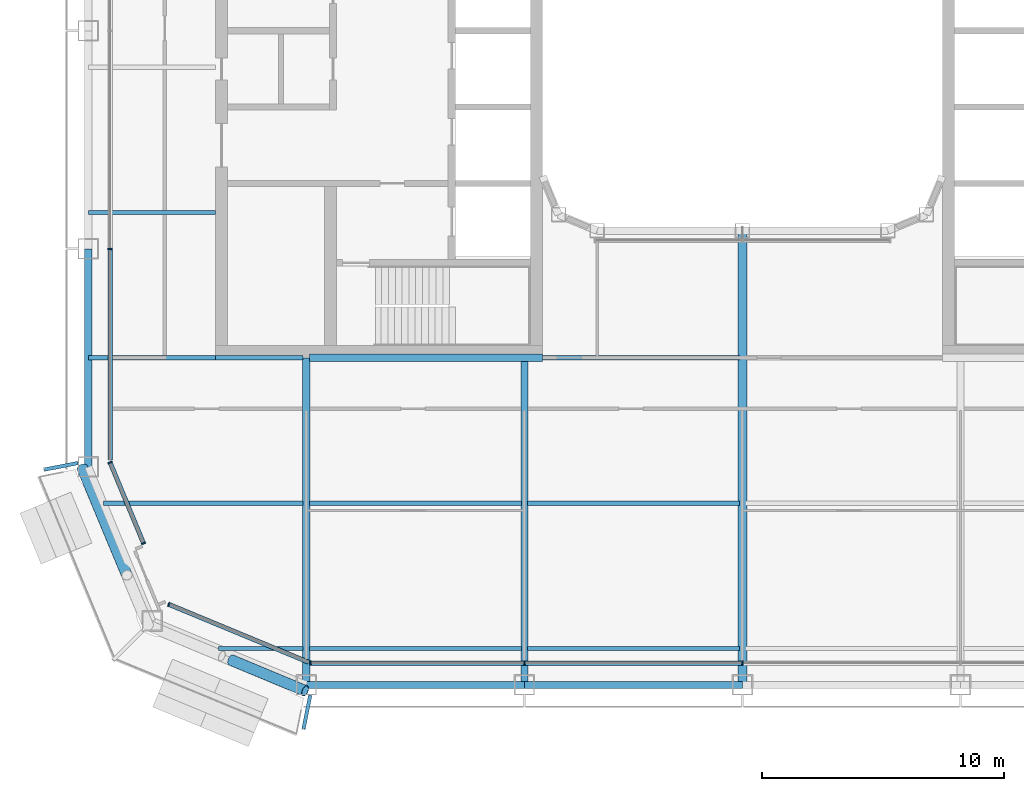
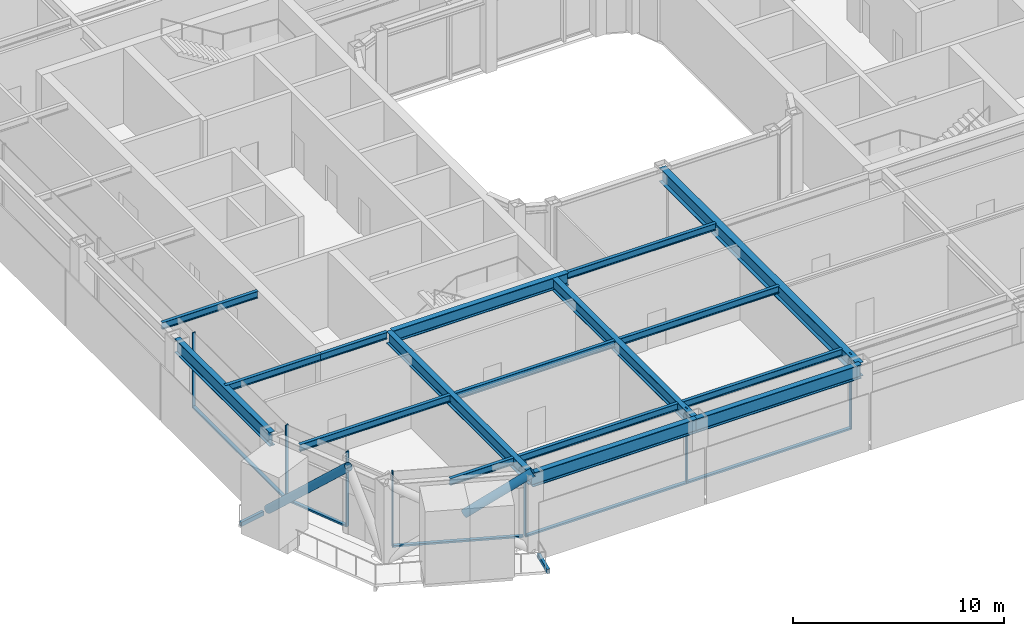
# One storey, part 2 of 23: 19 beams, 14 members, 4 elements without a shape of their own.
"""IFC4 building model written with IfcOpenShell, lengths in metres."""

from ifc_helpers import new_model, si_unit, direction, frame, origin, origin_2d, place, context, subcontext, project, spatial, rectangle, hollow_rectangle, hollow_circle, i_section, extrude, material, layer, layer_set, material_profile, profile_set, type_object, element, aggregate, save


model = new_model("IFC4")

# Units and contexts
model_context = context("Model", 3, precision=1e-05, world=origin(), true_north=direction((0.0, 1.0)))
body_context = subcontext(model_context, "Body", "Model", "MODEL_VIEW")
ifc_project = project(units=[si_unit("LENGTHUNIT", "METRE"), si_unit("AREAUNIT", "SQUARE_METRE"), si_unit("VOLUMEUNIT", "CUBIC_METRE"), si_unit("PLANEANGLEUNIT", "RADIAN"), si_unit("MASSUNIT", "GRAM", prefix="KILO")], contexts=[model_context])

# Site, building, storey
site_placement = place(None, origin())
site = spatial("IfcSite", under=ifc_project, at=site_placement, CompositionType="ELEMENT")
building_placement = place(site_placement, origin())
building = spatial("IfcBuilding", under=site, at=building_placement, Name="Siwar Civic Tower", CompositionType="ELEMENT")
storey_placement = place(building_placement, frame((0.0, 0.0, 197.199951171875)))
storey = spatial("IfcBuildingStorey", under=building, at=storey_placement, Name="L42", CompositionType="ELEMENT", Elevation=197.199951171875)

# Beams
ifc_material_1 = material(Name="Steel S355", Category="steel")
ifc_material_profile_1 = material_profile(ifc_material_1, hollow_rectangle(XDim=0.14990234375, YDim=0.25, WallThickness=0.010009765625, at=origin_2d()), Name="RHS250x150x10")
ifc_profile_set_1 = profile_set([ifc_material_profile_1], Name="Steel S355")
beam_type_1 = type_object("IfcBeamType", Name="ENV-BALCONY ARM", PredefinedType="BEAM", material=ifc_profile_set_1)
for number, where, z_axis, x_axis, name in (
    (1, (-27.425048828125, -17.83984375, -0.27490234375), (-0.980778884878, -0.195122471741, 0.0), (0.195122471741, -0.980778884878, 0.0), "Balcony cantilever beam SW 1"),
    (2, (-17.83984375, -27.425048828125, -0.27490234375), (-0.195122471741, -0.980778884878, 0.0), (0.980778884878, -0.195122471741, 0.0), "Balcony cantilever beam SW 3"),
):
    element("IfcBeam", number, at=place(storey_placement, frame(where, z_axis=z_axis, x_axis=x_axis)), inside=storey, type_object=beam_type_1, Name=name, PredefinedType="BEAM", context=body_context, shape_type="SweptSolid", body=[
        extrude(hollow_rectangle(XDim=0.14990234375, YDim=0.25, WallThickness=0.010009765625, at=origin_2d()), origin(), (0.0, 0.0, 1.0), 1.417724609375),
    ])

# Curtain wall, members
ifc_material_2 = material(Name="Aluminium and glass", Category="aluminium")
ifc_layer_1 = layer(ifc_material_2, 0.179931640625)
ifc_layer_set_1 = layer_set([ifc_layer_1], Name="Aluminium and glass")
curtain_wall_type_1 = type_object("IfcCurtainWallType", Name="ENV-CW-C", PredefinedType="NOTDEFINED", material=ifc_layer_set_1)
curtain_wall_1_placement = place(storey_placement, origin())
curtain_wall_1 = element("IfcCurtainWall", 3, at=curtain_wall_1_placement, inside=storey, type_object=curtain_wall_type_1, Name="Curtain wall C S", PredefinedType="NOTDEFINED")
ifc_material_3 = material(Name="Aluminium 6063-T6", Category="aluminium")
ifc_material_profile_2 = material_profile(ifc_material_3, rectangle(XDim=0.179931640625, YDim=0.06005859375, at=origin_2d()), Name="AL 180x60")
ifc_profile_set_2 = profile_set([ifc_material_profile_2], Name="Aluminium 6063-T6")
member_type_1 = type_object("IfcMemberType", Name="ENV-MULLION-C", PredefinedType="MULLION", material=ifc_profile_set_2)
member_1_placement = place(storey_placement, frame((-17.821044921875, -26.10009765625, 0.0), z_axis=(0.0, 0.0, 1.0), x_axis=(0.0, 1.0, 0.0)))
member_1 = element("IfcMember", 4, at=member_1_placement, type_object=member_type_1, Name="Mullion C S 1", PredefinedType="MULLION", context=body_context, shape_type="SweptSolid", body=[
    extrude(rectangle(XDim=0.179931640625, YDim=0.06005859375, at=origin_2d()), origin(), (0.0, 0.0, 1.0), 4.35009765625),
])
member_2_placement = place(storey_placement, frame((-9.0, -26.10009765625, 0.0), z_axis=(0.0, 0.0, 1.0), x_axis=(0.0, 1.0, 0.0)))
member_2 = element("IfcMember", 5, at=member_2_placement, type_object=member_type_1, Name="Mullion C S 2", PredefinedType="MULLION", context=body_context, shape_type="SweptSolid", body=[
    extrude(rectangle(XDim=0.179931640625, YDim=0.06005859375, at=origin_2d()), origin(), (0.0, 0.0, 1.0), 4.35009765625),
])
member_3_placement = place(storey_placement, frame((0.0, -26.10009765625, 0.0), z_axis=(0.0, 0.0, 1.0), x_axis=(0.0, 1.0, 0.0)))
member_3 = element("IfcMember", 6, at=member_3_placement, type_object=member_type_1, Name="Mullion C S 3", PredefinedType="MULLION", context=body_context, shape_type="SweptSolid", body=[
    extrude(rectangle(XDim=0.179931640625, YDim=0.06005859375, at=origin_2d()), origin(), (0.0, 0.0, 1.0), 4.35009765625),
])

# Curtain wall, member
curtain_wall_2_placement = place(storey_placement, origin())
curtain_wall_2 = element("IfcCurtainWall", 7, at=curtain_wall_2_placement, inside=storey, type_object=curtain_wall_type_1, Name="Curtain wall C W", PredefinedType="NOTDEFINED")
member_4_placement = place(storey_placement, frame((-26.10009765625, -9.0, 0.0), z_axis=(0.0, 0.0, 1.0), x_axis=(1.0, 0.0, 0.0)))
member_4 = element("IfcMember", 8, at=member_4_placement, type_object=member_type_1, Name="Mullion C W 4", PredefinedType="MULLION", context=body_context, shape_type="SweptSolid", body=[
    extrude(rectangle(XDim=0.179931640625, YDim=0.06005859375, at=origin_2d()), origin(), (0.0, 0.0, 1.0), 4.35009765625),
])

# Curtain wall, members
ifc_material_4 = material(Name="Aluminium clad insulated panel", Category="aluminium")
ifc_layer_2 = layer(ifc_material_4, 0.179931640625)
ifc_layer_set_2 = layer_set([ifc_layer_2], Name="Aluminium clad insulated panel")
curtain_wall_type_2 = type_object("IfcCurtainWallType", Name="ENV-CW-CX", PredefinedType="NOTDEFINED", material=ifc_layer_set_2)
curtain_wall_3_placement = place(storey_placement, origin())
curtain_wall_3 = element("IfcCurtainWall", 9, at=curtain_wall_3_placement, inside=storey, type_object=curtain_wall_type_2, Name="Curtain wall C SW1", PredefinedType="NOTDEFINED")
member_5_placement = place(storey_placement, frame((-26.10009765625, -17.821044921875, 0.0), z_axis=(0.0, 0.0, 1.0), x_axis=(0.923879532511, 0.382683432365, 0.0)))
member_5 = element("IfcMember", 10, at=member_5_placement, type_object=member_type_1, Name="Mullion C SW1 1", PredefinedType="MULLION", context=body_context, shape_type="SweptSolid", body=[
    extrude(rectangle(XDim=0.179931640625, YDim=0.06005859375, at=origin_2d()), origin(), (0.0, 0.0, 1.0), 4.35009765625),
])
member_6_placement = place(storey_placement, frame((-24.719482421875, -21.153564453125, 0.0), z_axis=(0.0, 0.0, 1.0), x_axis=(0.923879532511, 0.382683432365, 0.0)))
member_6 = element("IfcMember", 11, at=member_6_placement, type_object=member_type_1, Name="Mullion C SW1 2", PredefinedType="MULLION", context=body_context, shape_type="SweptSolid", body=[
    extrude(rectangle(XDim=0.179931640625, YDim=0.06005859375, at=origin_2d()), origin(), (0.0, 0.0, 1.0), 4.35009765625),
])

# Curtain wall, member
curtain_wall_4_placement = place(storey_placement, origin())
curtain_wall_4 = element("IfcCurtainWall", 12, at=curtain_wall_4_placement, inside=storey, type_object=curtain_wall_type_2, Name="Curtain wall C SW2", PredefinedType="NOTDEFINED")
member_7_placement = place(storey_placement, frame((-23.675048828125, -23.675048828125, 0.0), z_axis=(0.0, 0.0, 1.0), x_axis=(0.382683432365, 0.923879532511, 0.0)))
member_7 = element("IfcMember", 13, at=member_7_placement, type_object=member_type_1, Name="Mullion C SW2 1", PredefinedType="MULLION", context=body_context, shape_type="SweptSolid", body=[
    extrude(rectangle(XDim=0.179931640625, YDim=0.06005859375, at=origin_2d()), origin(), (0.0, 0.0, 1.0), 4.35009765625),
])

# Member
ifc_material_5 = material(Name="Aluminium 6063-T6", Category="aluminium")
ifc_material_profile_3 = material_profile(ifc_material_5, rectangle(XDim=0.179931640625, YDim=0.10009765625, at=origin_2d()), Name="AL 180x100")
ifc_profile_set_3 = profile_set([ifc_material_profile_3], Name="Aluminium 6063-T6")
member_type_2 = type_object("IfcMemberType", Name="ENV-TRANSOM-C", PredefinedType="USERDEFINED", material=ifc_profile_set_3)
member_8_placement = place(storey_placement, frame((-17.791015625, -26.10009765625, 0.050048828125), z_axis=(1.0, 0.0, 0.0), x_axis=(0.0, 1.0, 0.0)))
member_8 = element("IfcMember", 14, at=member_8_placement, type_object=member_type_2, Name="Transom C S 1", ObjectType="TRANSOM", PredefinedType="USERDEFINED", context=body_context, shape_type="SweptSolid", body=[
    extrude(rectangle(XDim=0.179931640625, YDim=0.10009765625, at=origin_2d()), origin(), (0.0, 0.0, 1.0), 8.760986328125),
])

member_9_placement = place(storey_placement, frame((-8.969970703125, -26.10009765625, 0.050048828125), z_axis=(1.0, 0.0, 0.0), x_axis=(0.0, 1.0, 0.0)))
member_9 = element("IfcMember", 15, at=member_9_placement, type_object=member_type_2, Name="Transom C S 2", ObjectType="TRANSOM", PredefinedType="USERDEFINED", context=body_context, shape_type="SweptSolid", body=[
    extrude(rectangle(XDim=0.179931640625, YDim=0.10009765625, at=origin_2d()), origin(), (0.0, 0.0, 1.0), 8.93994140625),
])

aggregate(curtain_wall_1, [member_1, member_2, member_3, member_8, member_9])

member_10_placement = place(storey_placement, frame((-26.10009765625, -9.030029296875, 0.050048828125), z_axis=(0.0, -1.0, 0.0), x_axis=(1.0, 0.0, 0.0)))
member_10 = element("IfcMember", 16, at=member_10_placement, type_object=member_type_2, Name="Transom C W 4", ObjectType="TRANSOM", PredefinedType="USERDEFINED", context=body_context, shape_type="SweptSolid", body=[
    extrude(rectangle(XDim=0.179931640625, YDim=0.10009765625, at=origin_2d()), origin(), (0.0, 0.0, 1.0), 8.68603515625),
])

aggregate(curtain_wall_2, [member_4, member_10])

member_11_placement = place(storey_placement, frame((-26.088623046875, -17.8486328125, 0.050048828125), z_axis=(0.3827185099, -0.92386500214, 0.0), x_axis=(0.92386500214, 0.3827185099, 0.0)))
member_11 = element("IfcMember", 17, at=member_11_placement, type_object=member_type_2, Name="Transom C SW1 1", ObjectType="TRANSOM", PredefinedType="USERDEFINED", context=body_context, shape_type="SweptSolid", body=[
    extrude(rectangle(XDim=0.179931640625, YDim=0.10009765625, at=origin_2d()), origin(), (0.0, 0.0, 1.0), 3.54736328125),
])

aggregate(curtain_wall_3, [member_5, member_6, member_11])

member_12_placement = place(storey_placement, frame((-23.6474609375, -23.6865234375, 0.050048828125), z_axis=(0.923876246063, -0.382691366456, 0.0), x_axis=(0.382691366456, 0.923876246063, 0.0)))
member_12 = element("IfcMember", 18, at=member_12_placement, type_object=member_type_2, Name="Transom C SW2 1", ObjectType="TRANSOM", PredefinedType="USERDEFINED", context=body_context, shape_type="SweptSolid", body=[
    extrude(rectangle(XDim=0.179931640625, YDim=0.10009765625, at=origin_2d()), origin(), (0.0, 0.0, 1.0), 6.20166015625),
])

aggregate(curtain_wall_4, [member_7, member_12])

# Members
ifc_material_6 = material(Name="Steel S355", Category="steel")
ifc_material_profile_4 = material_profile(ifc_material_6, hollow_circle(Radius=0.228515625, WallThickness=0.02001953125, at=origin_2d()), Name="CHS457x20")
ifc_profile_set_4 = profile_set([ifc_material_profile_4], Name="Steel S355")
member_type_3 = type_object("IfcMemberType", Name="STR-BR-CHS457x20", PredefinedType="BRACE", material=ifc_profile_set_4)
member_13_placement = place(storey_placement, frame((-21.10302734375, -25.972900390625, 2.383056640625), z_axis=(0.777572496853, -0.323895306243, 0.538955325357), x_axis=(0.38452107079, 0.92311621485, 0.0)))
element("IfcMember", 19, at=member_13_placement, inside=storey, type_object=member_type_3, Name="L42/brc/CSW1-2-0-3", PredefinedType="BRACE", context=body_context, shape_type="SweptSolid", body=[
    extrude(hollow_circle(Radius=0.228515625, WallThickness=0.02001953125, at=origin_2d()), origin(), (0.0, 0.0, 1.0), 3.927978515625),
])
member_14_placement = place(storey_placement, frame((-27.2451171875, -18.048828125, 0.0), z_axis=(0.280310719993, -0.672864582402, 0.684601456328), x_axis=(0.923101041979, 0.384557494138, 0.0)))
element("IfcMember", 20, at=member_14_placement, inside=storey, type_object=member_type_3, Name="L42/brc/CSW1-2-0-0", PredefinedType="BRACE", context=body_context, shape_type="SweptSolid", body=[
    extrude(hollow_circle(Radius=0.228515625, WallThickness=0.02001953125, at=origin_2d()), origin(), (0.0, 0.0, 1.0), 6.5732421875),
])

# Beams
ifc_material_7 = material(Name="Steel S355", Category="steel")
ifc_material_profile_5 = material_profile(ifc_material_7, i_section(OverallWidth=0.179931640625, OverallDepth=0.39990234375, WebThickness=0.008544921875, FlangeThickness=0.013427734375, FilletRadius=0.02099609375, at=origin_2d()), Name="IPE400")
ifc_profile_set_5 = profile_set([ifc_material_profile_5], Name="Steel S355")
beam_type_2 = type_object("IfcBeamType", Name="STR-FB-IPE400", PredefinedType="JOIST", material=ifc_profile_set_5)
beam_1_placement = place(storey_placement, frame((-21.621337890625, -25.5, 4.150146484375), z_axis=(1.0, 0.0, 0.0), x_axis=(0.0, 1.0, 0.0)))
element("IfcBeam", 21, at=beam_1_placement, inside=storey, type_object=beam_type_2, Name="L42/bm/F001", PredefinedType="JOIST", context=body_context, shape_type="SweptSolid", body=[
    extrude(i_section(OverallWidth=0.179931640625, OverallDepth=0.39990234375, WebThickness=0.008544921875, FlangeThickness=0.013427734375, FilletRadius=0.02099609375, at=origin_2d()), origin(), (0.0, 0.0, 1.0), 3.491455078125),
])
for number, where, z_axis, x_axis, name in (
    (22, (-17.8701171875, -25.5, 4.150146484375), (1.0, 0.0, 0.0), (0.0, 1.0, 0.0), "L42/bm/F002"),
    (23, (-8.8701171875, -25.5, 4.150146484375), (1.0, 0.0, 0.0), (0.0, 1.0, 0.0), "L42/bm/F003"),
):
    element("IfcBeam", number, at=place(storey_placement, frame(where, z_axis=z_axis, x_axis=x_axis)), inside=storey, type_object=beam_type_2, Name=name, PredefinedType="JOIST", context=body_context, shape_type="SweptSolid", body=[
        extrude(i_section(OverallWidth=0.179931640625, OverallDepth=0.39990234375, WebThickness=0.008544921875, FlangeThickness=0.013427734375, FilletRadius=0.02099609375, at=origin_2d()), origin(), (0.0, 0.0, 1.0), 8.740234375),
    ])
beam_2_placement = place(storey_placement, frame((-26.378662109375, -19.5, 4.150146484375), z_axis=(1.0, 0.0, 0.0), x_axis=(0.0, 1.0, 0.0)))
element("IfcBeam", 24, at=beam_2_placement, inside=storey, type_object=beam_type_2, Name="L42/bm/F007", PredefinedType="JOIST", context=body_context, shape_type="SweptSolid", body=[
    extrude(i_section(OverallWidth=0.179931640625, OverallDepth=0.39990234375, WebThickness=0.008544921875, FlangeThickness=0.013427734375, FilletRadius=0.02099609375, at=origin_2d()), origin(), (0.0, 0.0, 1.0), 8.248779296875),
])
for number, where, z_axis, x_axis, name in (
    (25, (-17.8701171875, -19.5, 4.150146484375), (1.0, 0.0, 0.0), (0.0, 1.0, 0.0), "L42/bm/F008"),
    (26, (-8.8701171875, -19.5, 4.150146484375), (1.0, 0.0, 0.0), (0.0, 1.0, 0.0), "L42/bm/F009"),
):
    element("IfcBeam", number, at=place(storey_placement, frame(where, z_axis=z_axis, x_axis=x_axis)), inside=storey, type_object=beam_type_2, Name=name, PredefinedType="JOIST", context=body_context, shape_type="SweptSolid", body=[
        extrude(i_section(OverallWidth=0.179931640625, OverallDepth=0.39990234375, WebThickness=0.008544921875, FlangeThickness=0.013427734375, FilletRadius=0.02099609375, at=origin_2d()), origin(), (0.0, 0.0, 1.0), 8.740234375),
    ])
beam_3_placement = place(storey_placement, frame((-27.0, -13.5, 4.150146484375), z_axis=(1.0, 0.0, 0.0), x_axis=(0.0, 1.0, 0.0)))
element("IfcBeam", 27, at=beam_3_placement, inside=storey, type_object=beam_type_2, Name="L42/bm/F013", PredefinedType="JOIST", context=body_context, shape_type="SweptSolid", body=[
    extrude(i_section(OverallWidth=0.179931640625, OverallDepth=0.39990234375, WebThickness=0.008544921875, FlangeThickness=0.013427734375, FilletRadius=0.02099609375, at=origin_2d()), origin(), (0.0, 0.0, 1.0), 5.25),
])
beam_4_placement = place(storey_placement, frame((-21.75, -13.5, 4.150146484375), z_axis=(1.0, 0.0, 0.0), x_axis=(0.0, 1.0, 0.0)))
element("IfcBeam", 28, at=beam_4_placement, inside=storey, type_object=beam_type_2, Name="L42/bm/F014", PredefinedType="JOIST", context=body_context, shape_type="SweptSolid", body=[
    extrude(i_section(OverallWidth=0.179931640625, OverallDepth=0.39990234375, WebThickness=0.008544921875, FlangeThickness=0.013427734375, FilletRadius=0.02099609375, at=origin_2d()), origin(), (0.0, 0.0, 1.0), 3.6201171875),
])
beam_5_placement = place(storey_placement, frame((-8.25, -13.5, 4.150146484375), z_axis=(1.0, 0.0, 0.0), x_axis=(0.0, 1.0, 0.0)))
element("IfcBeam", 29, at=beam_5_placement, inside=storey, type_object=beam_type_2, Name="L42/bm/F016", PredefinedType="JOIST", context=body_context, shape_type="SweptSolid", body=[
    extrude(i_section(OverallWidth=0.179931640625, OverallDepth=0.39990234375, WebThickness=0.008544921875, FlangeThickness=0.013427734375, FilletRadius=0.02099609375, at=origin_2d()), origin(), (0.0, 0.0, 1.0), 8.1201171875),
])
beam_6_placement = place(storey_placement, frame((-27.0, -7.5, 4.150146484375), z_axis=(1.0, 0.0, 0.0), x_axis=(0.0, 1.0, 0.0)))
element("IfcBeam", 30, at=beam_6_placement, inside=storey, type_object=beam_type_2, Name="L42/bm/F021", PredefinedType="JOIST", context=body_context, shape_type="SweptSolid", body=[
    extrude(i_section(OverallWidth=0.179931640625, OverallDepth=0.39990234375, WebThickness=0.008544921875, FlangeThickness=0.013427734375, FilletRadius=0.02099609375, at=origin_2d()), origin(), (0.0, 0.0, 1.0), 5.25),
])
ifc_material_8 = material(Name="Steel S355", Category="steel")
ifc_material_profile_6 = material_profile(ifc_material_8, i_section(OverallWidth=0.300048828125, OverallDepth=0.699951171875, WebThickness=0.01708984375, FlangeThickness=0.031982421875, FilletRadius=0.027099609375, at=origin_2d()), Name="HEB700")
ifc_profile_set_6 = profile_set([ifc_material_profile_6], Name="Steel S355")
beam_type_3 = type_object("IfcBeamType", Name="STR-PG-HEB700", PredefinedType="BEAM", material=ifc_profile_set_6)
for number, where, z_axis, x_axis, name in (
    (31, (-18.0, -27.0, 4.0), (0.0, 1.0, 0.0), (-1.0, 0.0, 0.0), "L42/bm/G01"),
    (32, (-9.0, -27.0, 4.0), (0.0, 1.0, 0.0), (-1.0, 0.0, 0.0), "L42/bm/G03"),
):
    element("IfcBeam", number, at=place(storey_placement, frame(where, z_axis=z_axis, x_axis=x_axis)), inside=storey, type_object=beam_type_3, Name=name, PredefinedType="BEAM", context=body_context, shape_type="SweptSolid", body=[
        extrude(i_section(OverallWidth=0.300048828125, OverallDepth=0.699951171875, WebThickness=0.01708984375, FlangeThickness=0.031982421875, FilletRadius=0.027099609375, at=origin_2d()), origin(), (0.0, 0.0, 1.0), 13.5),
    ])
beam_7_placement = place(storey_placement, frame((-17.8701171875, -13.5, 4.0), z_axis=(1.0, 0.0, 0.0), x_axis=(0.0, 1.0, 0.0)))
element("IfcBeam", 33, at=beam_7_placement, inside=storey, type_object=beam_type_3, Name="L42/bm/F015", PredefinedType="BEAM", context=body_context, shape_type="SweptSolid", body=[
    extrude(i_section(OverallWidth=0.300048828125, OverallDepth=0.699951171875, WebThickness=0.01708984375, FlangeThickness=0.031982421875, FilletRadius=0.027099609375, at=origin_2d()), origin(), (0.0, 0.0, 1.0), 9.6201171875),
])
ifc_material_9 = material(Name="Steel S355", Category="steel")
ifc_material_profile_7 = material_profile(ifc_material_9, i_section(OverallWidth=0.360107421875, OverallDepth=0.800048828125, WebThickness=0.013916015625, FlangeThickness=0.031982421875, at=origin_2d()), Name="PG800x360x14x32")
ifc_profile_set_7 = profile_set([ifc_material_profile_7], Name="Steel S355")
beam_type_4 = type_object("IfcBeamType", Name="STR-PG-PG800x360x14x32", PredefinedType="BEAM", material=ifc_profile_set_7)
beam_8_placement = place(storey_placement, frame((0.0, -27.0, 3.949951171875), z_axis=(0.0, 1.0, 0.0), x_axis=(-1.0, 0.0, 0.0)))
element("IfcBeam", 34, at=beam_8_placement, inside=storey, type_object=beam_type_4, Name="L42/bm/G05", PredefinedType="BEAM", context=body_context, shape_type="SweptSolid", body=[
    extrude(i_section(OverallWidth=0.360107421875, OverallDepth=0.800048828125, WebThickness=0.013916015625, FlangeThickness=0.031982421875, at=origin_2d()), origin(), (0.0, 0.0, 1.0), 18.75),
])
ifc_material_10 = material(Name="Steel S355", Category="steel")
ifc_material_profile_8 = material_profile(ifc_material_10, i_section(OverallWidth=0.300048828125, OverallDepth=0.800048828125, WebThickness=0.017578125, FlangeThickness=0.032958984375, FilletRadius=0.030029296875, at=origin_2d()), Name="HEB800")
ifc_profile_set_8 = profile_set([ifc_material_profile_8], Name="Steel S355")
beam_type_5 = type_object("IfcBeamType", Name="STR-SB-HEB800", PredefinedType="BEAM", material=ifc_profile_set_8)
for number, where, z_axis, x_axis, name in (
    (35, (-18.0, -27.0, 3.949951171875), (1.0, 0.0, 0.0), (0.0, 1.0, 0.0), "L42/bm/SS-0"),
    (36, (-9.0, -27.0, 3.949951171875), (1.0, 0.0, 0.0), (0.0, 1.0, 0.0), "L42/bm/SS-1"),
    (37, (-27.0, -9.0, 3.949951171875), (0.0, -1.0, 0.0), (1.0, 0.0, 0.0), "L42/bm/SW-3"),
):
    element("IfcBeam", number, at=place(storey_placement, frame(where, z_axis=z_axis, x_axis=x_axis)), inside=storey, type_object=beam_type_5, Name=name, PredefinedType="BEAM", context=body_context, shape_type="SweptSolid", body=[
        extrude(i_section(OverallWidth=0.300048828125, OverallDepth=0.800048828125, WebThickness=0.017578125, FlangeThickness=0.032958984375, FilletRadius=0.030029296875, at=origin_2d()), origin(), (0.0, 0.0, 1.0), 9.0),
    ])

save(model, "model.ifc")
